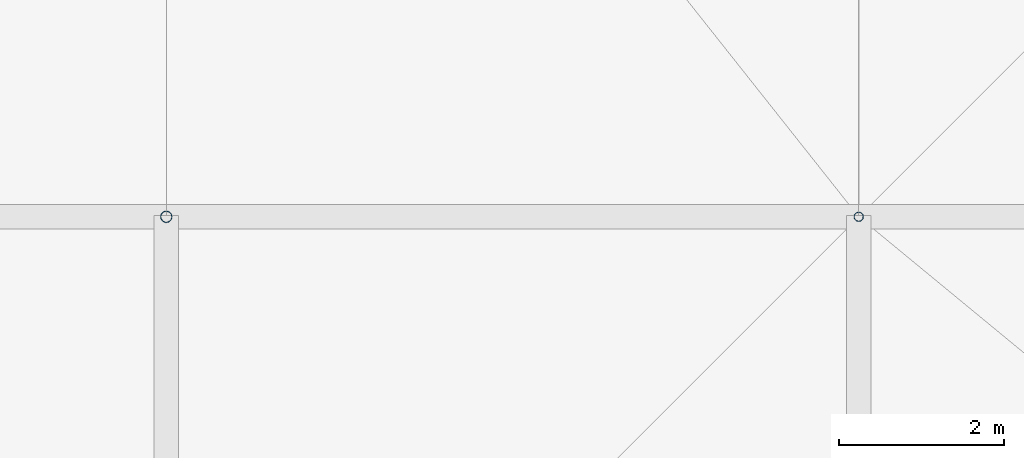
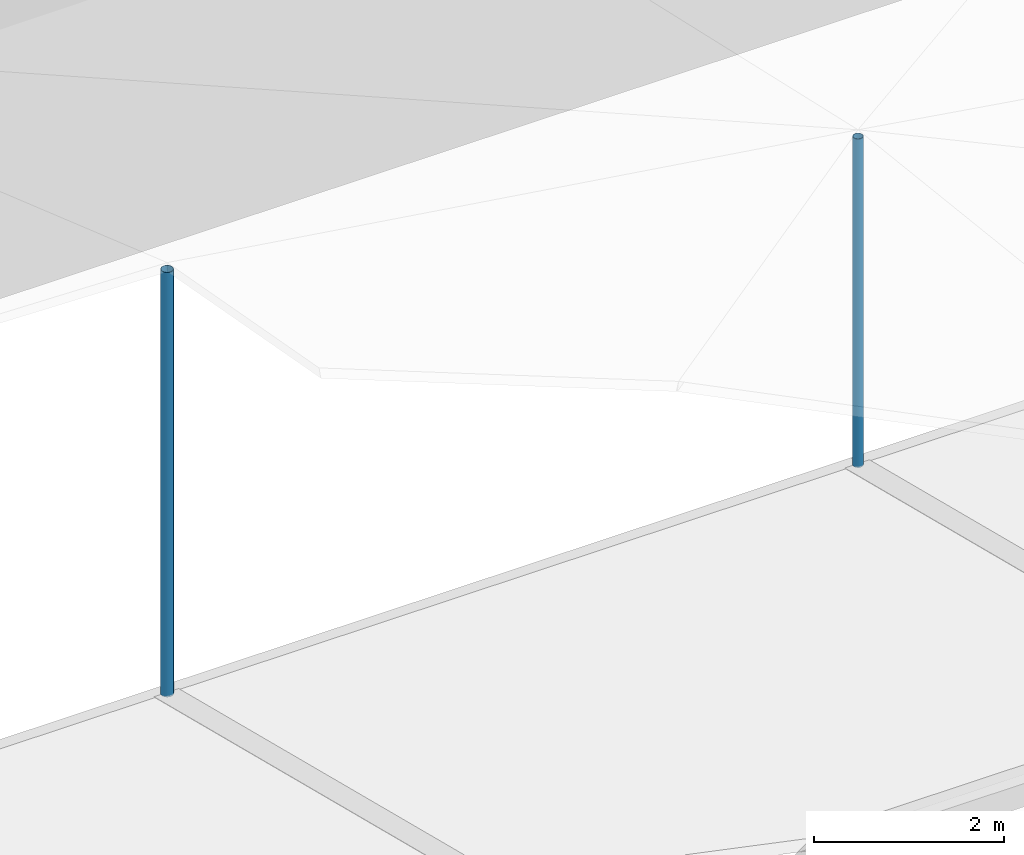
# One storey, part 69 of 111: 2 discrete accessories.
"""IFC4 building model written with IfcOpenShell, lengths in metres."""

from ifc_helpers import new_model, si_unit, direction, frame, origin, origin_2d, place, context, subcontext, project, spatial, hollow_circle, extrude, material, material_profile, profile_set, type_object, element, save


model = new_model("IFC4")

# Units and contexts
model_context = context("Model", 3, precision=1e-05, world=origin(), true_north=direction((0.0, 1.0)))
body_context = subcontext(model_context, "Body", "Model", "MODEL_VIEW")
ifc_project = project(units=[si_unit("LENGTHUNIT", "METRE"), si_unit("AREAUNIT", "SQUARE_METRE"), si_unit("VOLUMEUNIT", "CUBIC_METRE"), si_unit("PLANEANGLEUNIT", "RADIAN"), si_unit("MASSUNIT", "GRAM", prefix="KILO")], contexts=[model_context])

# Site, building, storey
site_placement = place(None, origin())
site = spatial("IfcSite", under=ifc_project, at=site_placement, CompositionType="ELEMENT")
building_placement = place(site_placement, origin())
building = spatial("IfcBuilding", under=site, at=building_placement, Name="Rain Tree Exposition and Congress Centre", CompositionType="ELEMENT")
storey_placement = place(building_placement, frame((0.0, 0.0, 19.5)))
storey = spatial("IfcBuildingStorey", under=building, at=storey_placement, Name="RF", CompositionType="ELEMENT", Elevation=19.5)

# Discrete accessories
ifc_material_1 = material(Name="Steel S355J2H", Category="steel")
ifc_material_profile_1 = material_profile(ifc_material_1, hollow_circle(Radius=0.05712890625, WallThickness=0.00439453125, at=origin_2d()), Name="CHS 114x4.5")
ifc_profile_set_1 = profile_set([ifc_material_profile_1], Name="Steel S355J2H")
discrete_accessory_type_1 = type_object("IfcDiscreteAccessoryType", Name="Roof skin post CHS 114x4.5", PredefinedType="BRACKET", material=ifc_profile_set_1)
discrete_accessory_1_placement = place(storey_placement, frame((117.60009765625, 193.199951171875, 1.11669921875), z_axis=(0.0, 0.0, 1.0), x_axis=(1.0, 0.0, 0.0)))
element("IfcDiscreteAccessory", 1, at=discrete_accessory_1_placement, inside=storey, type_object=discrete_accessory_type_1, Name="Roof skin post A179", PredefinedType="BRACKET", context=body_context, shape_type="SweptSolid", body=[
    extrude(hollow_circle(Radius=0.05712890625, WallThickness=0.00439453125, at=origin_2d()), origin(), (0.0, 0.0, 1.0), 4.226318359375),
])
ifc_material_2 = material(Name="Steel S355J2H", Category="steel")
ifc_material_profile_2 = material_profile(ifc_material_2, hollow_circle(Radius=0.06982421875, WallThickness=0.0048828125, at=origin_2d()), Name="CHS 140x5")
ifc_profile_set_2 = profile_set([ifc_material_profile_2], Name="Steel S355J2H")
discrete_accessory_type_2 = type_object("IfcDiscreteAccessoryType", Name="Roof skin post CHS 140x5", PredefinedType="BRACKET", material=ifc_profile_set_2)
discrete_accessory_2_placement = place(storey_placement, frame((109.199951171875, 193.199951171875, 1.11669921875), z_axis=(0.0, 0.0, 1.0), x_axis=(1.0, 0.0, 0.0)))
element("IfcDiscreteAccessory", 2, at=discrete_accessory_2_placement, inside=storey, type_object=discrete_accessory_type_2, Name="Roof skin post A178", PredefinedType="BRACKET", context=body_context, shape_type="SweptSolid", body=[
    extrude(hollow_circle(Radius=0.06982421875, WallThickness=0.0048828125, at=origin_2d()), origin(), (0.0, 0.0, 1.0), 5.459716796875),
])

save(model, "model.ifc")
